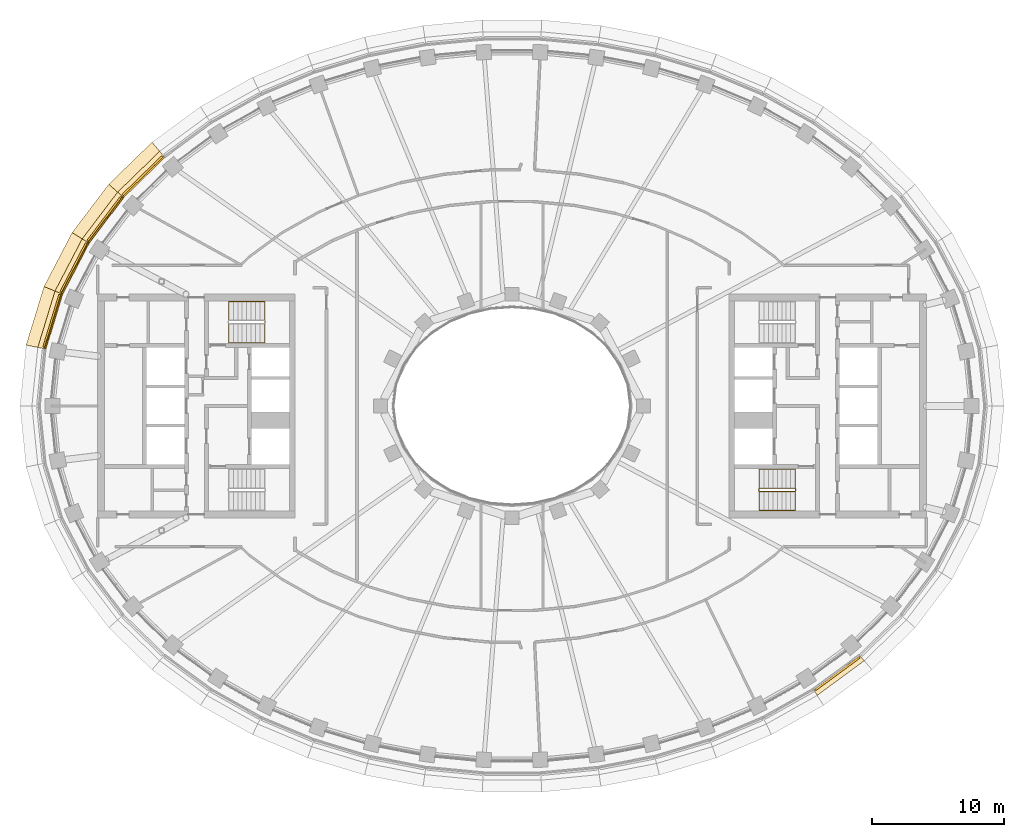
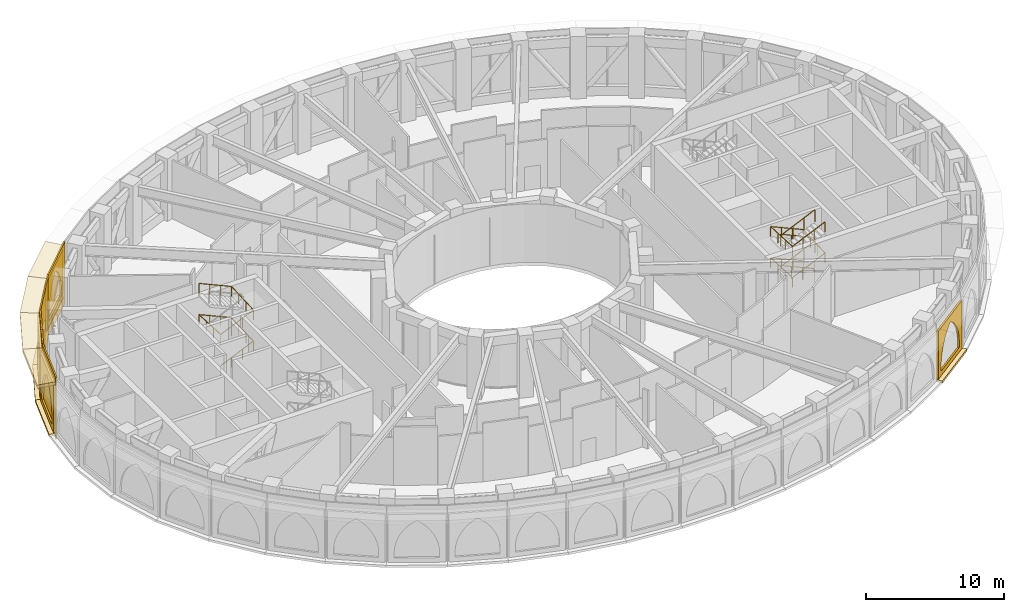
# One storey, part 22 of 25: 18 coverings, 3 railings.
"""IFC4 building model written with IfcOpenShell, lengths in metres."""

import ifcopenshell
import ifcopenshell.guid

model = None  # the IFC model being written
_history = None  # IfcOwnerHistory: only IFC2X3 demands one
_inside = {}  # id of a spatial element -> (the spatial element, [elements in it])
_under = {}  # id of a project, library or spatial element -> (it, [spatial elements below it])
_declared = {}  # id of a project -> (the project, [libraries it declares])
_typed = {}  # id of a type object -> (the type object, [elements of that type])
_made_of = {}  # id of a material, layer set ... -> (it, [elements and type objects made of it])


def new_model(schema):
    """Start an empty IFC model of exactly this schema.

    Asked for "IFC4X3", IfcOpenShell would pick the latest addendum, in which some entities
    have other attributes; the version numbers below select the first issue.
    IFC2X3 requires an IfcOwnerHistory on every rooted entity: one is made here for all.
    """
    global model, _history
    if schema == "IFC4X3":
        model = ifcopenshell.file(schema_version=(4, 3, 0, 0))
    else:
        model = ifcopenshell.file(schema=schema)
    _inside.clear()
    _under.clear()
    _declared.clear()
    _typed.clear()
    _made_of.clear()
    _history = None
    if model.schema == "IFC2X3":
        org = make("IfcOrganization", Name="unknown")
        user = make(
            "IfcPersonAndOrganization",
            ThePerson=make("IfcPerson", FamilyName="unknown"),
            TheOrganization=org,
        )
        app = make(
            "IfcApplication",
            ApplicationDeveloper=org,
            Version="unknown",
            ApplicationFullName="unknown",
            ApplicationIdentifier="unknown",
        )
        _history = make(
            "IfcOwnerHistory",
            OwningUser=user,
            OwningApplication=app,
            ChangeAction="ADDED",
            CreationDate=0,
        )
    return model


def make(cls, **values):
    """One entity of the class cls with the attributes given. An attribute that is None is left unset."""
    return model.create_entity(
        cls, **{name: value for name, value in values.items() if value is not None}
    )


def rooted(cls, **values):
    """An entity with a GlobalId (a new one), such as an element, a storey or a relation."""
    return make(cls, GlobalId=ifcopenshell.guid.new(), OwnerHistory=_history, **values)


def si_unit(unit_type, name, prefix=None):
    """IfcSIUnit, for example si_unit("LENGTHUNIT", "METRE", prefix="MILLI")."""
    return make("IfcSIUnit", UnitType=unit_type, Prefix=prefix, Name=name)


def assignment(units):
    """IfcUnitAssignment: the units of a project."""
    return None if units is None else make("IfcUnitAssignment", Units=units)


def point(xyz):
    """IfcCartesianPoint."""
    return None if xyz is None else make("IfcCartesianPoint", Coordinates=xyz)


def direction(xyz):
    """IfcDirection."""
    return None if xyz is None else make("IfcDirection", DirectionRatios=xyz)


def frame(location, z_axis=None, x_axis=None):
    """IfcAxis2Placement3D, a coordinate frame: its origin and axes. An axis left out is left unset."""
    return make(
        "IfcAxis2Placement3D",
        Location=point(location),
        Axis=direction(z_axis),
        RefDirection=direction(x_axis),
    )


def frame_2d(location, x_axis=None):
    """IfcAxis2Placement2D, a coordinate frame in the plane: its origin and x axis."""
    return make(
        "IfcAxis2Placement2D", Location=point(location), RefDirection=direction(x_axis)
    )


def origin():
    """The frame at (0, 0, 0) with its axes left unset."""
    return frame((0.0, 0.0, 0.0))


def origin_2d():
    """The frame at (0, 0) in the plane with its x axis left unset."""
    return frame_2d((0.0, 0.0))


def place(relative_to, where):
    """IfcLocalPlacement: puts the frame where relative to a parent placement (None: the world)."""
    return make(
        "IfcLocalPlacement", PlacementRelTo=relative_to, RelativePlacement=where
    )


def context(
    kind, dimensions, precision=None, world=None, true_north=None, identifier=None
):
    """IfcGeometricRepresentationContext, for example the 3D "Model" context."""
    return make(
        "IfcGeometricRepresentationContext",
        ContextIdentifier=identifier,
        ContextType=kind,
        CoordinateSpaceDimension=dimensions,
        Precision=precision,
        WorldCoordinateSystem=world,
        TrueNorth=true_north,
    )


def subcontext(parent, identifier, kind, view, scale=None):
    """IfcGeometricRepresentationSubContext, for example "Body" below "Model"."""
    return make(
        "IfcGeometricRepresentationSubContext",
        ContextIdentifier=identifier,
        ContextType=kind,
        ParentContext=parent,
        TargetScale=scale,
        TargetView=view,
    )


def project(units=None, contexts=None):
    """IfcProject with its units and contexts."""
    return rooted(
        "IfcProject",
        Name="project",
        RepresentationContexts=contexts,
        UnitsInContext=assignment(units),
    )


def spatial(cls, under=None, at=None, **own):
    """A site, building, storey or space (cls), placed at a placement, below another one or the project."""
    s = rooted(cls, ObjectPlacement=at, **own)
    if under is not None:
        _under.setdefault(under.id(), (under, []))[1].append(s)
    return s


def polyline(points):
    """IfcPolyline through the points."""
    return make("IfcPolyline", Points=[point(p) for p in points])


def profile(cls, at=None, kind="AREA", **sizes):
    """A parametric profile (cls). Its sizes go by their IFC names, for example OverallWidth=200.0."""
    return make(cls, ProfileType=kind, Position=at, **sizes)


def rectangle(**sizes):
    """IfcRectangleProfileDef."""
    return profile("IfcRectangleProfileDef", **sizes)


def outline(outer, holes=None, kind="AREA"):
    """IfcArbitraryClosedProfileDef: a profile drawn as a closed curve; with holes, ...WithVoids."""
    if holes is None:
        return make("IfcArbitraryClosedProfileDef", ProfileType=kind, OuterCurve=outer)
    return make(
        "IfcArbitraryProfileDefWithVoids",
        ProfileType=kind,
        OuterCurve=outer,
        InnerCurves=holes,
    )


def extrude(swept, where, along, depth):
    """IfcExtrudedAreaSolid: the profile swept, set in the frame where, extruded along a direction by depth."""
    return make(
        "IfcExtrudedAreaSolid",
        SweptArea=swept,
        Position=where,
        ExtrudedDirection=direction(along),
        Depth=depth,
    )


def shape(context_of_items, identifier, shape_type, items):
    """IfcShapeRepresentation: the items that make up one representation, for example the "Body"."""
    return make(
        "IfcShapeRepresentation",
        ContextOfItems=context_of_items,
        RepresentationIdentifier=identifier,
        RepresentationType=shape_type,
        Items=items,
    )


def material(Name=None, Category=None):
    """IfcMaterial."""
    return make("IfcMaterial", Name=Name, Category=Category)


def layer(
    of_material, thickness, ventilated=None, Name=None, Category=None, Priority=None
):
    """IfcMaterialLayer: one layer of a wall or slab, of a material (None: an air gap)."""
    return make(
        "IfcMaterialLayer",
        Material=of_material,
        LayerThickness=thickness,
        IsVentilated=ventilated,
        Name=Name,
        Category=Category,
        Priority=Priority,
    )


def layer_set(layers, Name=None):
    """IfcMaterialLayerSet."""
    return make("IfcMaterialLayerSet", MaterialLayers=layers, LayerSetName=Name)


def made_of(thing, what):
    """Note that an element or type object is made of a material, layer set ...; save() writes the relation."""
    if what is not None:
        _made_of.setdefault(what.id(), (what, []))[1].append(thing)
    return thing


def type_object(cls, material=None, **own):
    """A type object (cls), such as IfcWallType, which elements share."""
    return made_of(rooted(cls, **own), material)


def element(
    cls,
    number,
    at=None,
    inside=None,
    cuts=None,
    type_object=None,
    material=None,
    context=None,
    identifier="Body",
    shape_type=None,
    held_by="IfcProductDefinitionShape",
    body=None,
    shapes=None,
    **own,
):
    """One element of the class cls, such as IfcWall. Its Tag is "e" and its number.

    at: its placement. inside: the storey or other place that contains it. cuts: it is an
    opening in that element (IfcRelVoidsElement). A single representation is given by context,
    identifier, shape_type and body (its items); several are given by shapes. held_by: the class
    of the entity that holds the representations. save() writes the other relations.
    """
    e = rooted(cls, Tag="e%d" % number, ObjectPlacement=at, **own)
    if body is not None:
        shapes = [shape(context, identifier, shape_type, body)]
    if shapes is not None:
        e.Representation = make(held_by, Representations=shapes)
    if inside is not None:
        _inside.setdefault(inside.id(), (inside, []))[1].append(e)
    if cuts is not None:
        rooted(
            "IfcRelVoidsElement", RelatingBuildingElement=cuts, RelatedOpeningElement=e
        )
    if type_object is not None:
        _typed.setdefault(type_object.id(), (type_object, []))[1].append(e)
    return made_of(e, material)


def aggregate(whole, parts):
    """IfcRelAggregates: a whole, such as a stair, and the parts it consists of."""
    return rooted("IfcRelAggregates", RelatingObject=whole, RelatedObjects=parts)


def save(model, path):
    """Write the relations noted so far, then the file.

    IfcRelAggregates (storeys below a building ...), IfcRelContainedInSpatialStructure (elements
    in a storey), IfcRelDefinesByType, IfcRelAssociatesMaterial and IfcRelDeclares: one each for
    every whole, place, type object, material and project.
    """
    for whole, parts in _under.values():
        aggregate(whole, parts)
    for where, things in _inside.values():
        rooted(
            "IfcRelContainedInSpatialStructure",
            RelatedElements=things,
            RelatingStructure=where,
        )
    for kind, things in _typed.values():
        rooted("IfcRelDefinesByType", RelatedObjects=things, RelatingType=kind)
    for what, things in _made_of.values():
        rooted("IfcRelAssociatesMaterial", RelatedObjects=things, RelatingMaterial=what)
    for by, libraries in _declared.values():
        rooted("IfcRelDeclares", RelatingContext=by, RelatedDefinitions=libraries)
    model.write(path)


model = new_model("IFC4")

# Units and contexts
model_context = context("Model", 3, precision=1e-05, world=origin(), true_north=direction((0.0, 1.0)))
body_context = subcontext(model_context, "Body", "Model", "MODEL_VIEW")
ifc_project = project(units=[si_unit("LENGTHUNIT", "METRE"), si_unit("AREAUNIT", "SQUARE_METRE"), si_unit("VOLUMEUNIT", "CUBIC_METRE"), si_unit("PLANEANGLEUNIT", "RADIAN"), si_unit("MASSUNIT", "GRAM", prefix="KILO")], contexts=[model_context])

# Site, building, storey
site_placement = place(None, origin())
site = spatial("IfcSite", under=ifc_project, at=site_placement, CompositionType="ELEMENT")
building_placement = place(site_placement, origin())
building = spatial("IfcBuilding", under=site, at=building_placement, Name="Noorbagh Ring Tower", CompositionType="ELEMENT")
storey_placement = place(building_placement, frame((0.0, 0.0, 198.0)))
storey = spatial("IfcBuildingStorey", under=building, at=storey_placement, Name="L46", CompositionType="ELEMENT", Elevation=198.0)

# Railings
ifc_material_1 = material(Name="Stainless steel", Category="steel")
railing_type_1 = type_object("IfcRailingType", Name="CORE-STAIR-GUARD", PredefinedType="GUARDRAIL", material=ifc_material_1)
railing_1_placement = place(storey_placement, frame((21.580078125, -6.300048828125, 0.0)))
element("IfcRailing", 1, at=railing_1_placement, inside=storey, type_object=railing_type_1, Name="L46 ST4 stair guard", PredefinedType="GUARDRAIL", context=body_context, shape_type="SweptSolid", body=[
    extrude(rectangle(XDim=0.048095703125, YDim=0.048095703125, at=origin_2d()), frame((0.0, 0.0, 1.076171875), z_axis=(0.0, -1.0, 0.0), x_axis=(1.0, 0.0, 0.0)), (0.0, 0.0, 1.0), 0.14990234375),
    extrude(rectangle(XDim=0.048095703125, YDim=0.048095703125, at=origin_2d()), frame((0.0, -0.14990234375, 1.076171875), z_axis=(-0.195046945594, 0.779236333862, 0.595606770449), x_axis=(-0.970072785993, -0.242814311512, 0.0)), (0.0, 0.0, 1.0), 0.256591796875),
    extrude(rectangle(XDim=0.048095703125, YDim=0.048095703125, at=origin_2d()), frame((-0.050048828125, 0.050048828125, 1.22900390625), z_axis=(-0.912149621895, 0.0, 0.409857374312), x_axis=(0.0, -1.0, 0.0)), (0.0, 0.0, 1.0), 2.98193359375),
    extrude(rectangle(XDim=0.048095703125, YDim=0.048095703125, at=origin_2d()), frame((-2.77001953125, 0.050048828125, 2.451171875), z_axis=(-0.707106781187, -0.707106781187, 0.0), x_axis=(0.707106781187, -0.707106781187, 0.0)), (0.0, 0.0, 1.0), 0.07080078125),
    extrude(rectangle(XDim=0.048095703125, YDim=0.048095703125, at=origin_2d()), frame((-2.820068359375, 0.0, 2.451171875), z_axis=(0.0, -1.0, 0.0), x_axis=(1.0, 0.0, 0.0)), (0.0, 0.0, 1.0), 0.14990234375),
    extrude(rectangle(XDim=0.048095703125, YDim=0.048095703125, at=origin_2d()), frame((-2.820068359375, -0.14990234375, 2.451171875), z_axis=(0.297155754911, -0.297155754911, 0.90741220768), x_axis=(0.707106781187, 0.707106781187, 0.0)), (0.0, 0.0, 1.0), 0.16845703125),
    extrude(rectangle(XDim=0.048095703125, YDim=0.048095703125, at=origin_2d()), frame((-2.77001953125, -0.199951171875, 2.60400390625), z_axis=(0.912149621895, 0.0, 0.409857374312), x_axis=(0.0, 1.0, 0.0)), (0.0, 0.0, 1.0), 2.98193359375),
    extrude(rectangle(XDim=0.048095703125, YDim=0.048095703125, at=origin_2d()), frame((-0.050048828125, -0.199951171875, 3.826171875), z_axis=(0.242814311512, 0.970072785993, 0.0), x_axis=(-0.970072785993, 0.242814311512, 0.0)), (0.0, 0.0, 1.0), 0.2060546875),
    extrude(rectangle(XDim=0.048095703125, YDim=0.048095703125, at=origin_2d()), frame((0.0, 0.0, 3.826171875), z_axis=(0.0, -1.0, 0.0), x_axis=(1.0, 0.0, 0.0)), (0.0, 0.0, 1.0), 0.14990234375),
    extrude(rectangle(XDim=0.048095703125, YDim=0.048095703125, at=origin_2d()), frame((0.0, -0.14990234375, 3.826171875), z_axis=(-0.195046945594, 0.779236333862, 0.595606770449), x_axis=(-0.970072785993, -0.242814311512, 0.0)), (0.0, 0.0, 1.0), 0.256591796875),
    extrude(rectangle(XDim=0.048095703125, YDim=0.048095703125, at=origin_2d()), frame((-0.050048828125, 0.050048828125, 3.97900390625), z_axis=(-0.912149621895, 0.0, 0.409857374312), x_axis=(0.0, -1.0, 0.0)), (0.0, 0.0, 1.0), 2.98193359375),
    extrude(rectangle(XDim=0.048095703125, YDim=0.048095703125, at=origin_2d()), frame((-2.77001953125, 0.050048828125, 5.201171875), z_axis=(-0.707106781187, -0.707106781187, 0.0), x_axis=(0.707106781187, -0.707106781187, 0.0)), (0.0, 0.0, 1.0), 0.07080078125),
    extrude(rectangle(XDim=0.048095703125, YDim=0.048095703125, at=origin_2d()), frame((-2.820068359375, 0.0, 5.201171875), z_axis=(0.0, -1.0, 0.0), x_axis=(1.0, 0.0, 0.0)), (0.0, 0.0, 1.0), 0.14990234375),
    extrude(rectangle(XDim=0.048095703125, YDim=0.048095703125, at=origin_2d()), frame((-2.820068359375, -0.14990234375, 5.201171875), z_axis=(0.297155754911, -0.297155754911, 0.90741220768), x_axis=(0.707106781187, 0.707106781187, 0.0)), (0.0, 0.0, 1.0), 0.16845703125),
    extrude(rectangle(XDim=0.048095703125, YDim=0.048095703125, at=origin_2d()), frame((-2.77001953125, -0.199951171875, 5.35400390625), z_axis=(0.912149621895, 0.0, 0.409857374312), x_axis=(0.0, 1.0, 0.0)), (0.0, 0.0, 1.0), 2.98193359375),
    extrude(rectangle(XDim=0.0419921875, YDim=0.0419921875, at=origin_2d()), origin(), (0.0, 0.0, 1.0), 1.052001953125),
    extrude(rectangle(XDim=0.0419921875, YDim=0.0419921875, at=origin_2d()), frame((-0.956787109375, 0.050048828125, 0.560302734375)), (0.0, 0.0, 1.0), 1.052001953125),
    extrude(rectangle(XDim=0.0419921875, YDim=0.0419921875, at=origin_2d()), frame((-1.86328125, 0.050048828125, 0.967529296875)), (0.0, 0.0, 1.0), 1.052001953125),
    extrude(rectangle(XDim=0.0419921875, YDim=0.0419921875, at=origin_2d()), frame((-2.77001953125, 0.050048828125, 1.375)), (0.0, 0.0, 1.0), 1.052001953125),
    extrude(rectangle(XDim=0.0419921875, YDim=0.0419921875, at=origin_2d()), frame((-1.86328125, -0.199951171875, 1.935302734375)), (0.0, 0.0, 1.0), 1.052001953125),
    extrude(rectangle(XDim=0.0419921875, YDim=0.0419921875, at=origin_2d()), frame((-0.956787109375, -0.199951171875, 2.342529296875)), (0.0, 0.0, 1.0), 1.052001953125),
    extrude(rectangle(XDim=0.0419921875, YDim=0.0419921875, at=origin_2d()), frame((-0.050048828125, -0.199951171875, 2.75)), (0.0, 0.0, 1.0), 1.052001953125),
    extrude(rectangle(XDim=0.0419921875, YDim=0.0419921875, at=origin_2d()), frame((-0.956787109375, 0.050048828125, 3.310302734375)), (0.0, 0.0, 1.0), 1.052001953125),
    extrude(rectangle(XDim=0.0419921875, YDim=0.0419921875, at=origin_2d()), frame((-1.86328125, 0.050048828125, 3.717529296875)), (0.0, 0.0, 1.0), 1.052001953125),
    extrude(rectangle(XDim=0.0419921875, YDim=0.0419921875, at=origin_2d()), frame((-2.77001953125, 0.050048828125, 4.125)), (0.0, 0.0, 1.0), 1.052001953125),
    extrude(rectangle(XDim=0.0419921875, YDim=0.0419921875, at=origin_2d()), frame((-1.86328125, -0.199951171875, 4.685302734375)), (0.0, 0.0, 1.0), 1.052001953125),
    extrude(rectangle(XDim=0.0419921875, YDim=0.0419921875, at=origin_2d()), frame((-0.956787109375, -0.199951171875, 5.092529296875)), (0.0, 0.0, 1.0), 1.052001953125),
    extrude(rectangle(XDim=0.0419921875, YDim=0.0419921875, at=origin_2d()), frame((-0.050048828125, -0.199951171875, 5.5)), (0.0, 0.0, 1.0), 1.052001953125),
])
ifc_material_2 = material(Name="Stainless steel", Category="steel")
railing_type_2 = type_object("IfcRailingType", Name="CORE-STAIR-HANDRAIL", PredefinedType="HANDRAIL", material=ifc_material_2)
railing_2_placement = place(storey_placement, frame((-21.530029296875, 4.800048828125, 0.15283203125)))
element("IfcRailing", 2, at=railing_2_placement, inside=storey, type_object=railing_type_2, Name="L46 ST1 stair handrail", PredefinedType="HANDRAIL", context=body_context, shape_type="SweptSolid", body=[
    extrude(rectangle(XDim=0.048095703125, YDim=0.048095703125, at=origin_2d()), frame((0.0, 0.0, 0.8759765625), z_axis=(0.912149621895, 0.0, 0.409857374312), x_axis=(0.0, 1.0, 0.0)), (0.0, 0.0, 1.0), 2.98193359375),
    extrude(rectangle(XDim=0.048095703125, YDim=0.048095703125, at=origin_2d()), frame((2.719970703125, 0.0, 2.09814453125), z_axis=(0.0, 0.998824997948, 0.048462598722), x_axis=(-1.0, 0.0, 0.0)), (0.0, 0.0, 1.0), 3.153564453125),
    extrude(rectangle(XDim=0.048095703125, YDim=0.048095703125, at=origin_2d()), frame((2.719970703125, 3.14990234375, 2.2509765625), z_axis=(-0.912149621895, 0.0, 0.409857374312), x_axis=(0.0, -1.0, 0.0)), (0.0, 0.0, 1.0), 2.98193359375),
    extrude(rectangle(XDim=0.048095703125, YDim=0.048095703125, at=origin_2d()), frame((0.0, 3.14990234375, 3.47314453125), z_axis=(0.0, -0.998824997948, 0.048462598722), x_axis=(1.0, 0.0, 0.0)), (0.0, 0.0, 1.0), 3.153564453125),
    extrude(rectangle(XDim=0.048095703125, YDim=0.048095703125, at=origin_2d()), frame((0.0, 0.0, 3.6259765625), z_axis=(0.912149621895, 0.0, 0.409857374312), x_axis=(0.0, 1.0, 0.0)), (0.0, 0.0, 1.0), 2.98193359375),
    extrude(rectangle(XDim=0.048095703125, YDim=0.048095703125, at=origin_2d()), frame((2.719970703125, 0.0, 4.84814453125), z_axis=(0.0, 0.998824997948, 0.048462598722), x_axis=(-1.0, 0.0, 0.0)), (0.0, 0.0, 1.0), 3.153564453125),
    extrude(rectangle(XDim=0.048095703125, YDim=0.048095703125, at=origin_2d()), frame((2.719970703125, 3.14990234375, 5.0009765625), z_axis=(-0.912149621895, 0.0, 0.409857374312), x_axis=(0.0, -1.0, 0.0)), (0.0, 0.0, 1.0), 2.98193359375),
    extrude(rectangle(XDim=0.0419921875, YDim=0.0419921875, at=origin_2d()), origin(), (0.0, 0.0, 1.0), 0.851806640625),
    extrude(rectangle(XDim=0.0419921875, YDim=0.0419921875, at=origin_2d()), frame((0.90673828125, 0.0, 0.407470703125)), (0.0, 0.0, 1.0), 0.851806640625),
    extrude(rectangle(XDim=0.0419921875, YDim=0.0419921875, at=origin_2d()), frame((1.813232421875, 0.0, 0.814697265625)), (0.0, 0.0, 1.0), 0.851806640625),
    extrude(rectangle(XDim=0.0419921875, YDim=0.0419921875, at=origin_2d()), frame((2.719970703125, 0.0, 1.22216796875)), (0.0, 0.0, 1.0), 0.851806640625),
    extrude(rectangle(XDim=0.0419921875, YDim=0.0419921875, at=origin_2d()), frame((2.719970703125, 1.050048828125, 1.273193359375)), (0.0, 0.0, 1.0), 0.851806640625),
    extrude(rectangle(XDim=0.0419921875, YDim=0.0419921875, at=origin_2d()), frame((2.719970703125, 2.099853515625, 1.323974609375)), (0.0, 0.0, 1.0), 0.851806640625),
    extrude(rectangle(XDim=0.0419921875, YDim=0.0419921875, at=origin_2d()), frame((2.719970703125, 3.14990234375, 1.375)), (0.0, 0.0, 1.0), 0.851806640625),
    extrude(rectangle(XDim=0.0419921875, YDim=0.0419921875, at=origin_2d()), frame((1.813232421875, 3.14990234375, 1.782470703125)), (0.0, 0.0, 1.0), 0.851806640625),
    extrude(rectangle(XDim=0.0419921875, YDim=0.0419921875, at=origin_2d()), frame((0.90673828125, 3.14990234375, 2.189697265625)), (0.0, 0.0, 1.0), 0.851806640625),
    extrude(rectangle(XDim=0.0419921875, YDim=0.0419921875, at=origin_2d()), frame((0.0, 3.14990234375, 2.59716796875)), (0.0, 0.0, 1.0), 0.851806640625),
    extrude(rectangle(XDim=0.0419921875, YDim=0.0419921875, at=origin_2d()), frame((0.0, 2.099853515625, 2.648193359375)), (0.0, 0.0, 1.0), 0.851806640625),
    extrude(rectangle(XDim=0.0419921875, YDim=0.0419921875, at=origin_2d()), frame((0.0, 1.050048828125, 2.698974609375)), (0.0, 0.0, 1.0), 0.851806640625),
    extrude(rectangle(XDim=0.0419921875, YDim=0.0419921875, at=origin_2d()), frame((0.0, 0.0, 2.75)), (0.0, 0.0, 1.0), 0.851806640625),
    extrude(rectangle(XDim=0.0419921875, YDim=0.0419921875, at=origin_2d()), frame((0.90673828125, 0.0, 3.157470703125)), (0.0, 0.0, 1.0), 0.851806640625),
    extrude(rectangle(XDim=0.0419921875, YDim=0.0419921875, at=origin_2d()), frame((1.813232421875, 0.0, 3.564697265625)), (0.0, 0.0, 1.0), 0.851806640625),
    extrude(rectangle(XDim=0.0419921875, YDim=0.0419921875, at=origin_2d()), frame((2.719970703125, 0.0, 3.97216796875)), (0.0, 0.0, 1.0), 0.851806640625),
    extrude(rectangle(XDim=0.0419921875, YDim=0.0419921875, at=origin_2d()), frame((2.719970703125, 1.050048828125, 4.023193359375)), (0.0, 0.0, 1.0), 0.851806640625),
    extrude(rectangle(XDim=0.0419921875, YDim=0.0419921875, at=origin_2d()), frame((2.719970703125, 2.099853515625, 4.073974609375)), (0.0, 0.0, 1.0), 0.851806640625),
    extrude(rectangle(XDim=0.0419921875, YDim=0.0419921875, at=origin_2d()), frame((2.719970703125, 3.14990234375, 4.125)), (0.0, 0.0, 1.0), 0.851806640625),
    extrude(rectangle(XDim=0.0419921875, YDim=0.0419921875, at=origin_2d()), frame((1.813232421875, 3.14990234375, 4.532470703125)), (0.0, 0.0, 1.0), 0.851806640625),
    extrude(rectangle(XDim=0.0419921875, YDim=0.0419921875, at=origin_2d()), frame((0.90673828125, 3.14990234375, 4.939697265625)), (0.0, 0.0, 1.0), 0.851806640625),
    extrude(rectangle(XDim=0.0419921875, YDim=0.0419921875, at=origin_2d()), frame((0.0, 3.14990234375, 5.34716796875)), (0.0, 0.0, 1.0), 0.851806640625),
])
railing_3_placement = place(storey_placement, frame((21.530029296875, -4.800048828125, 0.15283203125)))
element("IfcRailing", 3, at=railing_3_placement, inside=storey, type_object=railing_type_2, Name="L46 ST4 stair handrail", PredefinedType="HANDRAIL", context=body_context, shape_type="SweptSolid", body=[
    extrude(rectangle(XDim=0.048095703125, YDim=0.048095703125, at=origin_2d()), frame((0.0, 0.0, 0.8759765625), z_axis=(-0.912149621895, 0.0, 0.409857374312), x_axis=(0.0, -1.0, 0.0)), (0.0, 0.0, 1.0), 2.98193359375),
    extrude(rectangle(XDim=0.048095703125, YDim=0.048095703125, at=origin_2d()), frame((-2.719970703125, 0.0, 2.09814453125), z_axis=(0.0, -0.998824997948, 0.048462598722), x_axis=(1.0, 0.0, 0.0)), (0.0, 0.0, 1.0), 3.153564453125),
    extrude(rectangle(XDim=0.048095703125, YDim=0.048095703125, at=origin_2d()), frame((-2.719970703125, -3.14990234375, 2.2509765625), z_axis=(0.912149621895, 0.0, 0.409857374312), x_axis=(0.0, 1.0, 0.0)), (0.0, 0.0, 1.0), 2.98193359375),
    extrude(rectangle(XDim=0.048095703125, YDim=0.048095703125, at=origin_2d()), frame((0.0, -3.14990234375, 3.47314453125), z_axis=(0.0, 0.998824997948, 0.048462598722), x_axis=(-1.0, 0.0, 0.0)), (0.0, 0.0, 1.0), 3.153564453125),
    extrude(rectangle(XDim=0.048095703125, YDim=0.048095703125, at=origin_2d()), frame((0.0, 0.0, 3.6259765625), z_axis=(-0.912149621895, 0.0, 0.409857374312), x_axis=(0.0, -1.0, 0.0)), (0.0, 0.0, 1.0), 2.98193359375),
    extrude(rectangle(XDim=0.048095703125, YDim=0.048095703125, at=origin_2d()), frame((-2.719970703125, 0.0, 4.84814453125), z_axis=(0.0, -0.998824997948, 0.048462598722), x_axis=(1.0, 0.0, 0.0)), (0.0, 0.0, 1.0), 3.153564453125),
    extrude(rectangle(XDim=0.048095703125, YDim=0.048095703125, at=origin_2d()), frame((-2.719970703125, -3.14990234375, 5.0009765625), z_axis=(0.912149621895, 0.0, 0.409857374312), x_axis=(0.0, 1.0, 0.0)), (0.0, 0.0, 1.0), 2.98193359375),
    extrude(rectangle(XDim=0.0419921875, YDim=0.0419921875, at=origin_2d()), origin(), (0.0, 0.0, 1.0), 0.851806640625),
    extrude(rectangle(XDim=0.0419921875, YDim=0.0419921875, at=origin_2d()), frame((-0.90673828125, 0.0, 0.407470703125)), (0.0, 0.0, 1.0), 0.851806640625),
    extrude(rectangle(XDim=0.0419921875, YDim=0.0419921875, at=origin_2d()), frame((-1.813232421875, 0.0, 0.814697265625)), (0.0, 0.0, 1.0), 0.851806640625),
    extrude(rectangle(XDim=0.0419921875, YDim=0.0419921875, at=origin_2d()), frame((-2.719970703125, 0.0, 1.22216796875)), (0.0, 0.0, 1.0), 0.851806640625),
    extrude(rectangle(XDim=0.0419921875, YDim=0.0419921875, at=origin_2d()), frame((-2.719970703125, -1.050048828125, 1.273193359375)), (0.0, 0.0, 1.0), 0.851806640625),
    extrude(rectangle(XDim=0.0419921875, YDim=0.0419921875, at=origin_2d()), frame((-2.719970703125, -2.099853515625, 1.323974609375)), (0.0, 0.0, 1.0), 0.851806640625),
    extrude(rectangle(XDim=0.0419921875, YDim=0.0419921875, at=origin_2d()), frame((-2.719970703125, -3.14990234375, 1.375)), (0.0, 0.0, 1.0), 0.851806640625),
    extrude(rectangle(XDim=0.0419921875, YDim=0.0419921875, at=origin_2d()), frame((-1.813232421875, -3.14990234375, 1.782470703125)), (0.0, 0.0, 1.0), 0.851806640625),
    extrude(rectangle(XDim=0.0419921875, YDim=0.0419921875, at=origin_2d()), frame((-0.90673828125, -3.14990234375, 2.189697265625)), (0.0, 0.0, 1.0), 0.851806640625),
    extrude(rectangle(XDim=0.0419921875, YDim=0.0419921875, at=origin_2d()), frame((0.0, -3.14990234375, 2.59716796875)), (0.0, 0.0, 1.0), 0.851806640625),
    extrude(rectangle(XDim=0.0419921875, YDim=0.0419921875, at=origin_2d()), frame((0.0, -2.099853515625, 2.648193359375)), (0.0, 0.0, 1.0), 0.851806640625),
    extrude(rectangle(XDim=0.0419921875, YDim=0.0419921875, at=origin_2d()), frame((0.0, -1.050048828125, 2.698974609375)), (0.0, 0.0, 1.0), 0.851806640625),
    extrude(rectangle(XDim=0.0419921875, YDim=0.0419921875, at=origin_2d()), frame((0.0, 0.0, 2.75)), (0.0, 0.0, 1.0), 0.851806640625),
    extrude(rectangle(XDim=0.0419921875, YDim=0.0419921875, at=origin_2d()), frame((-0.90673828125, 0.0, 3.157470703125)), (0.0, 0.0, 1.0), 0.851806640625),
    extrude(rectangle(XDim=0.0419921875, YDim=0.0419921875, at=origin_2d()), frame((-1.813232421875, 0.0, 3.564697265625)), (0.0, 0.0, 1.0), 0.851806640625),
    extrude(rectangle(XDim=0.0419921875, YDim=0.0419921875, at=origin_2d()), frame((-2.719970703125, 0.0, 3.97216796875)), (0.0, 0.0, 1.0), 0.851806640625),
    extrude(rectangle(XDim=0.0419921875, YDim=0.0419921875, at=origin_2d()), frame((-2.719970703125, -1.050048828125, 4.023193359375)), (0.0, 0.0, 1.0), 0.851806640625),
    extrude(rectangle(XDim=0.0419921875, YDim=0.0419921875, at=origin_2d()), frame((-2.719970703125, -2.099853515625, 4.073974609375)), (0.0, 0.0, 1.0), 0.851806640625),
    extrude(rectangle(XDim=0.0419921875, YDim=0.0419921875, at=origin_2d()), frame((-2.719970703125, -3.14990234375, 4.125)), (0.0, 0.0, 1.0), 0.851806640625),
    extrude(rectangle(XDim=0.0419921875, YDim=0.0419921875, at=origin_2d()), frame((-1.813232421875, -3.14990234375, 4.532470703125)), (0.0, 0.0, 1.0), 0.851806640625),
    extrude(rectangle(XDim=0.0419921875, YDim=0.0419921875, at=origin_2d()), frame((-0.90673828125, -3.14990234375, 4.939697265625)), (0.0, 0.0, 1.0), 0.851806640625),
    extrude(rectangle(XDim=0.0419921875, YDim=0.0419921875, at=origin_2d()), frame((0.0, -3.14990234375, 5.34716796875)), (0.0, 0.0, 1.0), 0.851806640625),
])

# Coverings
ifc_material_3 = material(Name="Aluminium 6063-T6 black anodised", Category="aluminium")
ifc_layer_1 = layer(ifc_material_3, 0.1201171875)
ifc_layer_set_1 = layer_set([ifc_layer_1], Name="Aluminium 6063-T6 black anodised")
covering_type_1 = type_object("IfcCoveringType", Name="ENV-LOUVRE-BAND", PredefinedType="CLADDING", material=ifc_layer_set_1)
covering_1_placement = place(storey_placement, frame((-27.993408203125, 17.41259765625, -0.2998046875), z_axis=(0.0, 0.0, 1.0), x_axis=(-0.717224548362, -0.696842125038, 0.0)))
element("IfcCovering", 4, at=covering_1_placement, inside=storey, type_object=covering_type_1, Name="Louvre screen chord 19", ObjectType="LOUVRE", PredefinedType="CLADDING", context=body_context, shape_type="SweptSolid", body=[
    extrude(rectangle(XDim=4.347900390625, YDim=0.1201171875, at=origin_2d()), origin(), (0.0, 0.0, 1.0), 5.449951171875),
])
covering_2_placement = place(storey_placement, frame((-30.883544921875, 14.145263671875, -0.2998046875), z_axis=(0.0, 0.0, 1.0), x_axis=(-0.604020184358, -0.796969018776, 0.0)))
element("IfcCovering", 5, at=covering_2_placement, inside=storey, type_object=covering_type_1, Name="Louvre screen chord 20", ObjectType="LOUVRE", PredefinedType="CLADDING", context=body_context, shape_type="SweptSolid", body=[
    extrude(rectangle(XDim=4.346923828125, YDim=0.1201171875, at=origin_2d()), origin(), (0.0, 0.0, 1.0), 5.449951171875),
])
covering_3_placement = place(storey_placement, frame((-33.21484375, 10.464111328125, -0.2998046875), z_axis=(0.0, 0.0, 1.0), x_axis=(-0.462278064231, -0.88673501754, 0.0)))
element("IfcCovering", 6, at=covering_3_placement, inside=storey, type_object=covering_type_1, Name="Louvre screen chord 21", ObjectType="LOUVRE", PredefinedType="CLADDING", context=body_context, shape_type="SweptSolid", body=[
    extrude(rectangle(XDim=4.345947265625, YDim=0.1201171875, at=origin_2d()), origin(), (0.0, 0.0, 1.0), 5.449951171875),
])
covering_4_placement = place(storey_placement, frame((-34.86376953125, 6.436279296875, -0.2998046875), z_axis=(0.0, 0.0, 1.0), x_axis=(-0.292170066961, -0.95636637957, 0.0)))
element("IfcCovering", 7, at=covering_4_placement, inside=storey, type_object=covering_type_1, Name="Louvre screen chord 22", ObjectType="LOUVRE", PredefinedType="CLADDING", context=body_context, shape_type="SweptSolid", body=[
    extrude(rectangle(XDim=4.344970703125, YDim=0.1201171875, at=origin_2d()), origin(), (0.0, 0.0, 1.0), 5.449951171875),
])
ifc_material_4 = material(Name="Red sandstone cladding", Category="masonry")
ifc_layer_2 = layer(ifc_material_4, 0.14990234375)
ifc_layer_set_2 = layer_set([ifc_layer_2], Name="Red sandstone cladding")
covering_type_2 = type_object("IfcCoveringType", Name="STYLE-BAND-ARCADE", PredefinedType="USERDEFINED", material=ifc_layer_set_2)
covering_5_placement = place(storey_placement, frame((-26.639404296875, 19.021240234375, 0.25), z_axis=(-0.696851724238, 0.717215221831, 0.0), x_axis=(-0.717215221831, -0.696851724238, 0.0)))
element("IfcCovering", 8, at=covering_5_placement, inside=storey, type_object=covering_type_2, Name="Blind arch bay of the band", ObjectType="ARCH", PredefinedType="USERDEFINED", context=body_context, shape_type="SweptSolid", body=[
    extrude(outline(polyline([(0.0, 0.0), (4.184326171875, 0.0), (4.184326171875, 4.25), (0.0, 4.25), (0.0, 0.0)]), holes=[polyline([(0.449951171875, 0.39990234375), (0.449951171875, 0.855712890625), (0.47802734375, 1.284423828125), (0.56201171875, 1.705810546875), (0.699951171875, 2.11279296875), (0.889892578125, 2.498046875), (1.128662109375, 2.855224609375), (1.411865234375, 3.17822265625), (1.73486328125, 3.46142578125), (2.092041015625, 3.7001953125), (2.44921875, 3.46142578125), (2.772216796875, 3.17822265625), (3.0556640625, 2.855224609375), (3.294189453125, 2.498046875), (3.484130859375, 2.11279296875), (3.622314453125, 1.705810546875), (3.706298828125, 1.284423828125), (3.734130859375, 0.855712890625), (3.734130859375, 0.39990234375), (0.449951171875, 0.39990234375)])]), origin(), (0.0, 0.0, -1.0), 0.14990234375),
])
covering_6_placement = place(storey_placement, frame((-29.78759765625, 15.939208984375, 0.25), z_axis=(-0.796985737541, 0.603998124299, 0.0), x_axis=(-0.603998124299, -0.796985737541, 0.0)))
element("IfcCovering", 9, at=covering_6_placement, inside=storey, type_object=covering_type_2, Name="Blind arch bay of the band", ObjectType="ARCH", PredefinedType="USERDEFINED", context=body_context, shape_type="SweptSolid", body=[
    extrude(outline(polyline([(0.0, 0.0), (4.18359375, 0.0), (4.18359375, 4.25), (0.0, 4.25), (0.0, 0.0)]), holes=[polyline([(0.449951171875, 0.39990234375), (0.449951171875, 0.856689453125), (0.47802734375, 1.28515625), (0.56201171875, 1.706298828125), (0.699951171875, 2.113037109375), (0.889892578125, 2.498291015625), (1.12841796875, 2.85546875), (1.41162109375, 3.17822265625), (1.734619140625, 3.46142578125), (2.091796875, 3.7001953125), (2.44873046875, 3.46142578125), (2.771728515625, 3.17822265625), (3.054931640625, 2.85546875), (3.29345703125, 2.498291015625), (3.4833984375, 2.113037109375), (3.62158203125, 1.706298828125), (3.705322265625, 1.28515625), (3.7333984375, 0.856689453125), (3.7333984375, 0.39990234375), (0.449951171875, 0.39990234375)])]), origin(), (0.0, 0.0, -1.0), 0.14990234375),
])
covering_7_placement = place(storey_placement, frame((-32.434326171875, 12.415283203125, 0.25), z_axis=(-0.886709716342, 0.462326593379, 0.0), x_axis=(-0.462326593379, -0.886709716342, 0.0)))
element("IfcCovering", 10, at=covering_7_placement, inside=storey, type_object=covering_type_2, Name="Blind arch bay of the band", ObjectType="ARCH", PredefinedType="USERDEFINED", context=body_context, shape_type="SweptSolid", body=[
    extrude(outline(polyline([(0.0, 0.0), (4.182373046875, 0.0), (4.182373046875, 4.25), (0.0, 4.25), (0.0, 0.0)]), holes=[polyline([(0.449951171875, 0.39990234375), (0.449951171875, 0.857421875), (0.47802734375, 1.285888671875), (0.561767578125, 1.70703125), (0.699951171875, 2.113525390625), (0.8896484375, 2.498779296875), (1.12841796875, 2.855712890625), (1.411376953125, 3.178466796875), (1.734130859375, 3.461669921875), (2.09130859375, 3.7001953125), (2.447998046875, 3.461669921875), (2.77099609375, 3.178466796875), (3.053955078125, 2.855712890625), (3.29248046875, 2.498779296875), (3.482421875, 2.113525390625), (3.62060546875, 1.70703125), (3.7041015625, 1.285888671875), (3.732421875, 0.857421875), (3.732421875, 0.39990234375), (0.449951171875, 0.39990234375)])]), origin(), (0.0, 0.0, -1.0), 0.14990234375),
])
covering_8_placement = place(storey_placement, frame((-34.45361328125, 8.4970703125, 0.25), z_axis=(-0.956367886414, 0.292165134531, 0.0), x_axis=(-0.292165134531, -0.956367886414, 0.0)))
element("IfcCovering", 11, at=covering_8_placement, inside=storey, type_object=covering_type_2, Name="Blind arch bay of the band", ObjectType="ARCH", PredefinedType="USERDEFINED", context=body_context, shape_type="SweptSolid", body=[
    extrude(outline(polyline([(0.0, 0.0), (4.181396484375, 0.0), (4.181396484375, 4.25), (0.0, 4.25), (0.0, 0.0)]), holes=[polyline([(0.449951171875, 0.39990234375), (0.449951171875, 0.8583984375), (0.47802734375, 1.28662109375), (0.561767578125, 1.70751953125), (0.69970703125, 2.114013671875), (0.8896484375, 2.4990234375), (1.128173828125, 2.85595703125), (1.4111328125, 3.1787109375), (1.73388671875, 3.461669921875), (2.0908203125, 3.7001953125), (2.447509765625, 3.461669921875), (2.770263671875, 3.1787109375), (3.05322265625, 2.85595703125), (3.291748046875, 2.4990234375), (3.4814453125, 2.114013671875), (3.619384765625, 1.70751953125), (3.703125, 1.28662109375), (3.731201171875, 0.8583984375), (3.731201171875, 0.39990234375), (0.449951171875, 0.39990234375)])]), origin(), (0.0, 0.0, -1.0), 0.14990234375),
])
covering_9_placement = place(storey_placement, frame((23.10205078125, -21.645263671875, 0.25), z_axis=(0.593079629262, -0.805143809114, 0.0), x_axis=(0.805143809114, 0.593079629262, 0.0)))
element("IfcCovering", 12, at=covering_9_placement, inside=storey, type_object=covering_type_2, Name="Blind arch bay of the band", ObjectType="ARCH", PredefinedType="USERDEFINED", context=body_context, shape_type="SweptSolid", body=[
    extrude(outline(polyline([(0.0, 0.0), (4.184814453125, 0.0), (4.184814453125, 4.25), (0.0, 4.25), (0.0, 0.0)]), holes=[polyline([(0.449951171875, 0.39990234375), (0.449951171875, 0.855224609375), (0.47802734375, 1.283935546875), (0.56201171875, 1.705322265625), (0.7001953125, 2.1123046875), (0.89013671875, 2.497802734375), (1.12890625, 2.85498046875), (1.412109375, 3.177978515625), (1.735107421875, 3.46142578125), (2.092529296875, 3.7001953125), (2.44970703125, 3.46142578125), (2.772705078125, 3.177978515625), (3.05615234375, 2.85498046875), (3.294921875, 2.497802734375), (3.48486328125, 2.1123046875), (3.623046875, 1.705322265625), (3.706787109375, 1.283935546875), (3.73486328125, 0.855224609375), (3.73486328125, 0.39990234375), (0.449951171875, 0.39990234375)])]), origin(), (0.0, 0.0, -1.0), 0.14990234375),
])
ifc_material_5 = material(Name="Red sandstone eave", Category="masonry")
covering_type_3 = type_object("IfcCoveringType", Name="STYLE-BAND-EAVE", PredefinedType="USERDEFINED", material=ifc_material_5)
covering_10_placement = place(storey_placement, frame((0.0, 0.0, 4.5)))
element("IfcCovering", 13, at=covering_10_placement, inside=storey, type_object=covering_type_3, Name="Chhajja eave", ObjectType="CHHAJJA", PredefinedType="USERDEFINED", context=body_context, shape_type="SweptSolid", body=[
    extrude(outline(polyline([(-26.463134765625, 18.9833984375), (-29.607666015625, 15.927978515625), (-30.6591796875, 16.8583984375), (-27.3701171875, 20.053955078125), (-26.463134765625, 18.9833984375)])), origin(), (0.0, 0.0, 1.0), 0.300048828125),
])
covering_11_placement = place(storey_placement, frame((0.0, 0.0, 4.5)))
element("IfcCovering", 14, at=covering_11_placement, inside=storey, type_object=covering_type_3, Name="Chhajja eave", ObjectType="CHHAJJA", PredefinedType="USERDEFINED", context=body_context, shape_type="SweptSolid", body=[
    extrude(outline(polyline([(-29.607666015625, 15.927978515625), (-32.255126953125, 12.434814453125), (-33.442138671875, 13.186279296875), (-30.6591796875, 16.8583984375), (-29.607666015625, 15.927978515625)])), origin(), (0.0, 0.0, 1.0), 0.300048828125),
])
covering_12_placement = place(storey_placement, frame((0.0, 0.0, 4.5)))
element("IfcCovering", 15, at=covering_12_placement, inside=storey, type_object=covering_type_3, Name="Chhajja eave", ObjectType="CHHAJJA", PredefinedType="USERDEFINED", context=body_context, shape_type="SweptSolid", body=[
    extrude(outline(polyline([(-32.255126953125, 12.434814453125), (-34.281005859375, 8.548828125), (-35.582275390625, 9.081298828125), (-33.442138671875, 13.186279296875), (-32.255126953125, 12.434814453125)])), origin(), (0.0, 0.0, 1.0), 0.300048828125),
])
covering_13_placement = place(storey_placement, frame((0.0, 0.0, 4.5)))
element("IfcCovering", 16, at=covering_13_placement, inside=storey, type_object=covering_type_3, Name="Chhajja eave", ObjectType="CHHAJJA", PredefinedType="USERDEFINED", context=body_context, shape_type="SweptSolid", body=[
    extrude(outline(polyline([(-34.281005859375, 8.548828125), (-35.561279296875, 4.358642578125), (-36.940185546875, 4.635986328125), (-35.582275390625, 9.081298828125), (-34.281005859375, 8.548828125)])), origin(), (0.0, 0.0, 1.0), 0.300048828125),
])
ifc_material_6 = material(Name="Red sandstone eave", Category="masonry")
covering_type_4 = type_object("IfcCoveringType", Name="STYLE-BAND-SILL", PredefinedType="USERDEFINED", material=ifc_material_6)
covering_14_placement = place(storey_placement, frame((0.0, 0.0, 0.050048828125)))
element("IfcCovering", 17, at=covering_14_placement, inside=storey, type_object=covering_type_4, Name="Sill ledge", ObjectType="CHHAJJA", PredefinedType="USERDEFINED", context=body_context, shape_type="SweptSolid", body=[
    extrude(outline(polyline([(-26.463134765625, 18.9833984375), (-29.607666015625, 15.927978515625), (-29.983154296875, 16.260498046875), (-26.787109375, 19.365478515625), (-26.463134765625, 18.9833984375)])), origin(), (0.0, 0.0, 1.0), 0.199951171875),
])
covering_15_placement = place(storey_placement, frame((0.0, 0.0, 0.050048828125)))
element("IfcCovering", 18, at=covering_15_placement, inside=storey, type_object=covering_type_4, Name="Sill ledge", ObjectType="CHHAJJA", PredefinedType="USERDEFINED", context=body_context, shape_type="SweptSolid", body=[
    extrude(outline(polyline([(-29.607666015625, 15.927978515625), (-32.255126953125, 12.434814453125), (-32.67919921875, 12.703125), (-29.983154296875, 16.260498046875), (-29.607666015625, 15.927978515625)])), origin(), (0.0, 0.0, 1.0), 0.199951171875),
])
covering_16_placement = place(storey_placement, frame((0.0, 0.0, 0.050048828125)))
element("IfcCovering", 19, at=covering_16_placement, inside=storey, type_object=covering_type_4, Name="Sill ledge", ObjectType="CHHAJJA", PredefinedType="USERDEFINED", context=body_context, shape_type="SweptSolid", body=[
    extrude(outline(polyline([(-32.255126953125, 12.434814453125), (-34.281005859375, 8.548828125), (-34.745849609375, 8.739013671875), (-32.67919921875, 12.703125), (-32.255126953125, 12.434814453125)])), origin(), (0.0, 0.0, 1.0), 0.199951171875),
])
covering_17_placement = place(storey_placement, frame((0.0, 0.0, 0.050048828125)))
element("IfcCovering", 20, at=covering_17_placement, inside=storey, type_object=covering_type_4, Name="Sill ledge", ObjectType="CHHAJJA", PredefinedType="USERDEFINED", context=body_context, shape_type="SweptSolid", body=[
    extrude(outline(polyline([(-34.281005859375, 8.548828125), (-35.561279296875, 4.358642578125), (-36.0537109375, 4.457763671875), (-34.745849609375, 8.739013671875), (-34.281005859375, 8.548828125)])), origin(), (0.0, 0.0, 1.0), 0.199951171875),
])
covering_18_placement = place(storey_placement, frame((0.0, 0.0, 0.050048828125)))
element("IfcCovering", 21, at=covering_18_placement, inside=storey, type_object=covering_type_4, Name="Sill ledge", ObjectType="CHHAJJA", PredefinedType="USERDEFINED", context=body_context, shape_type="SweptSolid", body=[
    extrude(outline(polyline([(22.9326171875, -21.583740234375), (26.463134765625, -18.9833984375), (26.787109375, -19.365478515625), (23.2041015625, -22.004638671875), (22.9326171875, -21.583740234375)])), origin(), (0.0, 0.0, 1.0), 0.199951171875),
])

save(model, "model.ifc")
